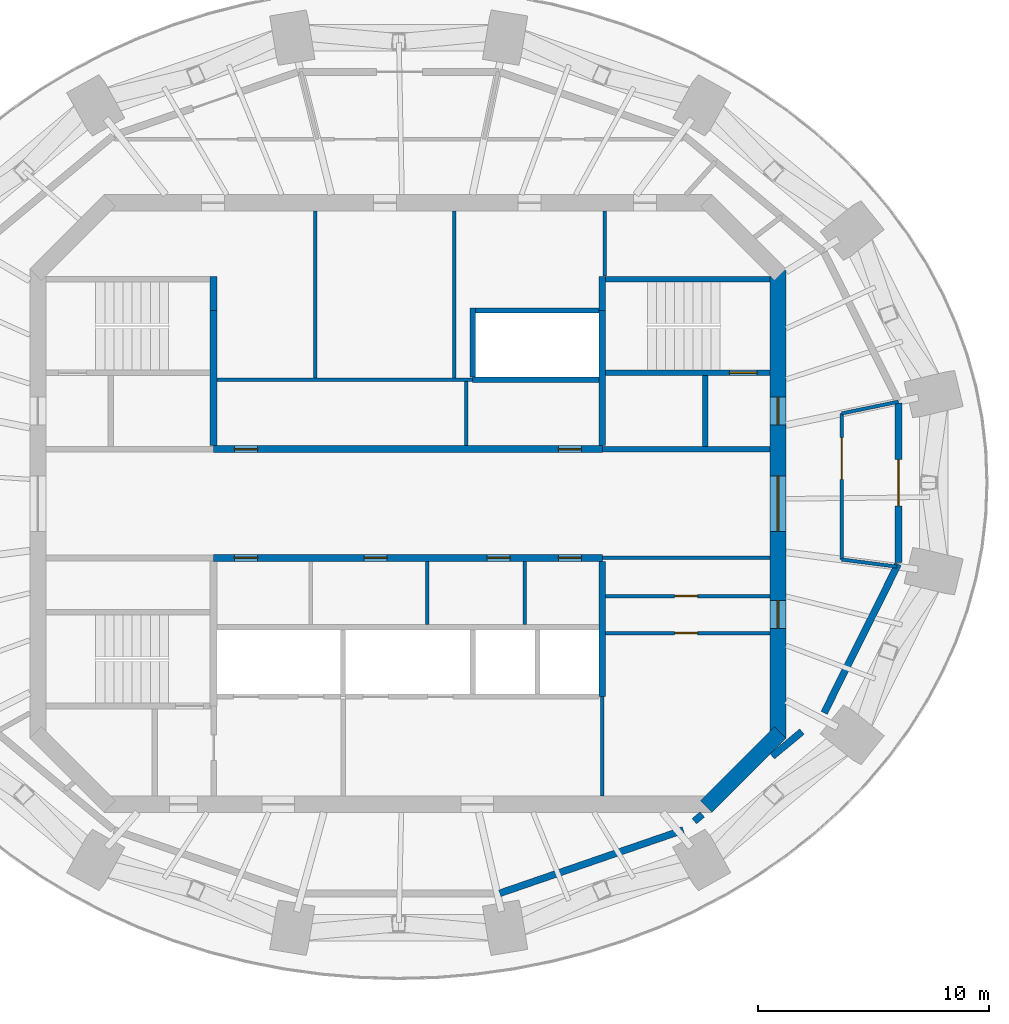
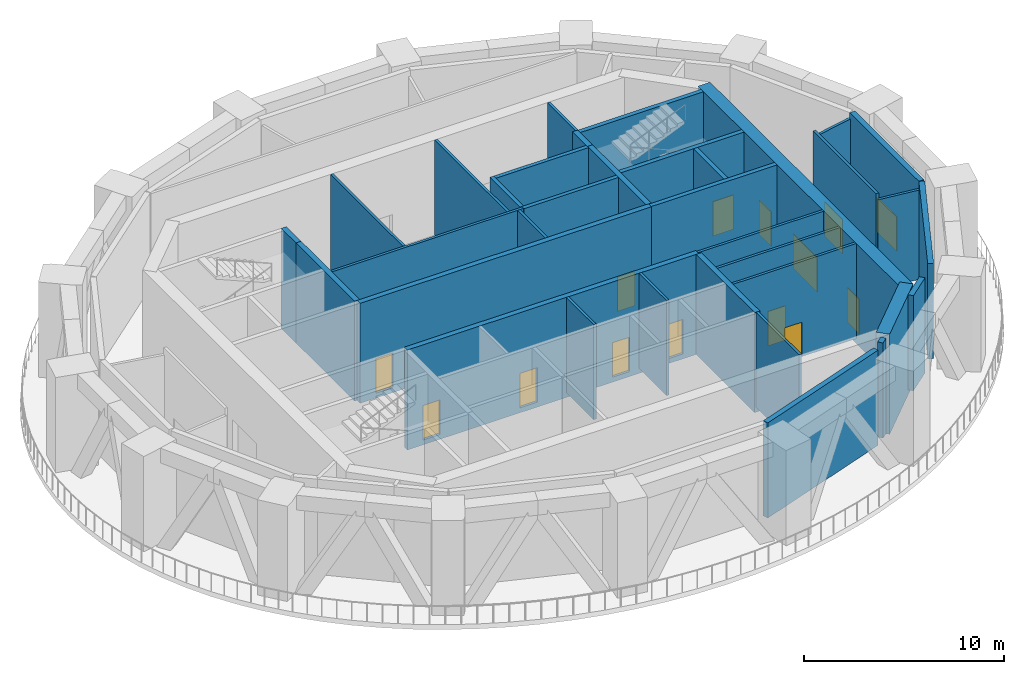
# One storey, part 5 of 9: 35 walls, 14 doors, 14 openings.
"""IFC4 building model written with IfcOpenShell, lengths in metres."""

from ifc_helpers import new_model, si_unit, direction, frame, frame_2d, origin, place, context, subcontext, project, spatial, rectangle, extrude, material, layer, layer_set, type_object, element, fill, save


model = new_model("IFC4")

# Units and contexts
model_context = context("Model", 3, precision=1e-05, world=origin(), true_north=direction((0.0, 1.0)))
body_context = subcontext(model_context, "Body", "Model", "MODEL_VIEW")
ifc_project = project(units=[si_unit("LENGTHUNIT", "METRE"), si_unit("AREAUNIT", "SQUARE_METRE"), si_unit("VOLUMEUNIT", "CUBIC_METRE"), si_unit("PLANEANGLEUNIT", "RADIAN"), si_unit("MASSUNIT", "GRAM", prefix="KILO")], contexts=[model_context])

# Site, building, storey
site_placement = place(None, origin())
site = spatial("IfcSite", under=ifc_project, at=site_placement, CompositionType="ELEMENT")
building_placement = place(site_placement, origin())
building = spatial("IfcBuilding", under=site, at=building_placement, Name="Marenthal Gate Tower", CompositionType="ELEMENT")
storey_placement = place(building_placement, frame((0.0, 0.0, 407.550048828125)))
storey = spatial("IfcBuildingStorey", under=building, at=storey_placement, Name="L92", CompositionType="ELEMENT", Elevation=407.550048828125)

# Wall
ifc_material_1 = material(Name="Concrete 60 MPa", Category="concrete")
ifc_layer_1 = layer(ifc_material_1, 0.699951171875)
ifc_layer_set_1 = layer_set([ifc_layer_1], Name="Core shear wall 700")
wall_type_1 = type_object("IfcWallType", Name="Core shear wall 700", PredefinedType="SHEAR", material=ifc_layer_set_1)
wall_1_placement = place(storey_placement, frame((12.8974609375, -13.1025390625, -0.300048828125), z_axis=(0.0, 0.0, 1.0), x_axis=(0.707106781187, 0.707106781187, 0.0)))
element("IfcWall", 1, at=wall_1_placement, inside=storey, type_object=wall_type_1, Name="Core wall 01", PredefinedType="SHEAR", context=body_context, shape_type="SweptSolid", body=[
    extrude(rectangle(XDim=4.53271484375, YDim=0.699951171875, at=frame_2d((2.266357421875, 0.0))), origin(), (0.0, 0.0, 1.0), 6.10009765625),
])

# Wall, openings, doors
wall_2_placement = place(storey_placement, frame((16.0, -10.14501953125, -0.300048828125), z_axis=(0.0, 0.0, 1.0), x_axis=(0.0, 1.0, 0.0)))
wall_2 = element("IfcWall", 2, at=wall_2_placement, inside=storey, type_object=wall_type_1, Name="Core wall 02", PredefinedType="SHEAR", context=body_context, shape_type="SweptSolid", body=[
    extrude(rectangle(XDim=20.2900390625, YDim=0.699951171875, at=frame_2d((10.14501953125, 0.0))), origin(), (0.0, 0.0, 1.0), 6.10009765625),
])
opening_1_placement = place(wall_2_placement, frame((8.945068359375, 0.0, 0.300048828125)))
opening_1 = element("IfcOpeningElement", 3, at=opening_1_placement, cuts=wall_2, Name="Opening D003.02", PredefinedType="OPENING", context=body_context, shape_type="SweptSolid", body=[
    extrude(rectangle(XDim=2.39990234375, YDim=2.10009765625, at=frame_2d((1.199951171875, 1.050048828125))), frame((0.0, 0.35986328125, 0.0), z_axis=(0.0, -1.0, 0.0), x_axis=(1.0, 0.0, 0.0)), (0.0, 0.0, 1.0), 0.719970703125),
])
opening_2_placement = place(wall_2_placement, frame((13.544921875, 0.0, 0.300048828125)))
opening_2 = element("IfcOpeningElement", 4, at=opening_2_placement, cuts=wall_2, Name="Opening D001.05", PredefinedType="OPENING", context=body_context, shape_type="SweptSolid", body=[
    extrude(rectangle(XDim=1.199951171875, YDim=2.10009765625, at=frame_2d((0.60009765625, 1.050048828125))), frame((0.0, 0.35986328125, 0.0), z_axis=(0.0, -1.0, 0.0), x_axis=(1.0, 0.0, 0.0)), (0.0, 0.0, 1.0), 0.719970703125),
])
opening_3_placement = place(wall_2_placement, frame((4.7451171875, 0.0, 0.300048828125)))
opening_3 = element("IfcOpeningElement", 5, at=opening_3_placement, cuts=wall_2, Name="Opening D006.01", PredefinedType="OPENING", context=body_context, shape_type="SweptSolid", body=[
    extrude(rectangle(XDim=1.199951171875, YDim=2.10009765625, at=frame_2d((0.60009765625, 1.050048828125))), frame((0.0, 0.35986328125, 0.0), z_axis=(0.0, -1.0, 0.0), x_axis=(1.0, 0.0, 0.0)), (0.0, 0.0, 1.0), 0.719970703125),
])
ifc_material_2 = material(Name="Steel fire door", Category="steel")
door_type_1 = type_object("IfcDoorType", Name="Double fire door FD 45 2400 x 2100", OperationType="DOUBLE_DOOR_SINGLE_SWING", PredefinedType="DOOR", material=ifc_material_2)
door_1_placement = place(opening_1_placement, origin())
door_1 = element("IfcDoor", 6, at=door_1_placement, inside=storey, type_object=door_type_1, Name="Door D003.02", OperationType="DOUBLE_DOOR_SINGLE_SWING", OverallHeight=2.10009765625, OverallWidth=2.39990234375, PredefinedType="DOOR", context=body_context, shape_type="SweptSolid", body=[
    extrude(rectangle(XDim=2.39990234375, YDim=2.10009765625, at=frame_2d((1.199951171875, 1.050048828125))), frame((0.0, 0.02490234375, 0.0), z_axis=(0.0, -1.0, 0.0), x_axis=(1.0, 0.0, 0.0)), (0.0, 0.0, 1.0), 0.050048828125),
])
fill(opening_1, door_1)
ifc_material_3 = material(Name="Steel fire door", Category="steel")
door_type_2 = type_object("IfcDoorType", Name="Fire door FD 45 1200 x 2100", OperationType="NOTDEFINED", PredefinedType="DOOR", material=ifc_material_3)
door_2_placement = place(opening_3_placement, origin())
door_2 = element("IfcDoor", 7, at=door_2_placement, inside=storey, type_object=door_type_2, Name="Door D006.01", OperationType="SINGLE_SWING_RIGHT", OverallHeight=2.10009765625, OverallWidth=1.199951171875, PredefinedType="DOOR", context=body_context, shape_type="SweptSolid", body=[
    extrude(rectangle(XDim=1.199951171875, YDim=2.10009765625, at=frame_2d((0.60009765625, 1.050048828125))), frame((0.0, 0.02490234375, 0.0), z_axis=(0.0, -1.0, 0.0), x_axis=(1.0, 0.0, 0.0)), (0.0, 0.0, 1.0), 0.050048828125),
])
fill(opening_3, door_2)
ifc_material_4 = material(Name="Steel fire door", Category="steel")
door_type_3 = type_object("IfcDoorType", Name="Fire door FD 90 1200 x 2100", OperationType="NOTDEFINED", PredefinedType="DOOR", material=ifc_material_4)
door_3_placement = place(opening_2_placement, origin())
door_3 = element("IfcDoor", 8, at=door_3_placement, inside=storey, type_object=door_type_3, Name="Door D001.05", OperationType="SINGLE_SWING_RIGHT", OverallHeight=2.10009765625, OverallWidth=1.199951171875, PredefinedType="DOOR", context=body_context, shape_type="SweptSolid", body=[
    extrude(rectangle(XDim=1.199951171875, YDim=2.10009765625, at=frame_2d((0.60009765625, 1.050048828125))), frame((0.0, 0.02490234375, 0.0), z_axis=(0.0, -1.0, 0.0), x_axis=(1.0, 0.0, 0.0)), (0.0, 0.0, 1.0), 0.050048828125),
])
fill(opening_2, door_3)

# Wall, opening, door
ifc_material_5 = material(Name="Concrete 40 MPa", Category="concrete")
ifc_layer_2 = layer(ifc_material_5, 0.300048828125)
ifc_layer_set_2 = layer_set([ifc_layer_2], Name="External wall 300")
wall_type_2 = type_object("IfcWallType", Name="External wall 300", PredefinedType="STANDARD", material=ifc_layer_set_2)
wall_3_placement = place(storey_placement, frame((21.209228515625, -2.55029296875, 0.0), z_axis=(0.0, 0.0, 1.0), x_axis=(0.0, 1.0, 0.0)))
wall_3 = element("IfcWall", 9, at=wall_3_placement, inside=storey, type_object=wall_type_2, Name="External wall 56", PredefinedType="STANDARD", context=body_context, shape_type="SweptSolid", body=[
    extrude(rectangle(XDim=6.90087890625, YDim=0.300048828125, at=frame_2d((3.450439453125, 0.0))), origin(), (0.0, 0.0, 1.0), 5.800048828125),
])
opening_4_placement = place(wall_3_placement, frame((2.450439453125, 0.0, 0.0)))
opening_4 = element("IfcOpeningElement", 10, at=opening_4_placement, cuts=wall_3, Name="Opening D018.04", PredefinedType="OPENING", context=body_context, shape_type="SweptSolid", body=[
    extrude(rectangle(XDim=2.0, YDim=2.10009765625, at=frame_2d((1.0, 1.050048828125))), frame((0.0, 0.16015625, 0.0), z_axis=(0.0, -1.0, 0.0), x_axis=(1.0, 0.0, 0.0)), (0.0, 0.0, 1.0), 0.320068359375),
])
ifc_material_6 = material(Name="Steel fire door", Category="steel")
door_type_4 = type_object("IfcDoorType", Name="Double fire door FD 45 2000 x 2100", OperationType="DOUBLE_DOOR_SINGLE_SWING", PredefinedType="DOOR", material=ifc_material_6)
door_4_placement = place(opening_4_placement, frame((2.0, 0.0, 0.0), z_axis=(0.0, 0.0, 1.0), x_axis=(-1.0, 0.0, 0.0)))
door_4 = element("IfcDoor", 11, at=door_4_placement, inside=storey, type_object=door_type_4, Name="Door D018.04", OperationType="DOUBLE_DOOR_SINGLE_SWING", OverallHeight=2.10009765625, OverallWidth=2.0, PredefinedType="DOOR", context=body_context, shape_type="SweptSolid", body=[
    extrude(rectangle(XDim=2.0, YDim=2.10009765625, at=frame_2d((1.0, 1.050048828125))), frame((0.0, 0.02490234375, 0.0), z_axis=(0.0, -1.0, 0.0), x_axis=(1.0, 0.0, 0.0)), (0.0, 0.0, 1.0), 0.050048828125),
])
fill(opening_4, door_4)

# Walls
wall_4_placement = place(storey_placement, frame((3.962890625, -16.853515625, 0.0), z_axis=(0.0, 0.0, 1.0), x_axis=(0.945415916935, 0.325866144309, 0.0)))
element("IfcWall", 12, at=wall_4_placement, inside=storey, type_object=wall_type_2, Name="External wall 60", PredefinedType="STANDARD", context=body_context, shape_type="SweptSolid", body=[
    extrude(rectangle(XDim=8.39794921875, YDim=0.300048828125, at=frame_2d((4.198974609375, 0.0))), origin(), (0.0, 0.0, 1.0), 5.800048828125),
])
wall_5_placement = place(storey_placement, frame((12.3798828125, -13.732421875, 0.0), z_axis=(0.0, 0.0, 1.0), x_axis=(0.768489258739, 0.639862687772, 0.0)))
element("IfcWall", 13, at=wall_5_placement, inside=storey, type_object=wall_type_2, Name="External wall 61", PredefinedType="STANDARD", context=body_context, shape_type="SweptSolid", body=[
    extrude(rectangle(XDim=0.447998046875, YDim=0.300048828125, at=frame_2d((0.22412109375, 0.0))), origin(), (0.0, 0.0, 1.0), 5.800048828125),
])
wall_6_placement = place(storey_placement, frame((15.749755859375, -10.928466796875, 0.0), z_axis=(0.0, 0.0, 1.0), x_axis=(0.768724548227, 0.639579994178, 0.0)))
element("IfcWall", 14, at=wall_6_placement, inside=storey, type_object=wall_type_2, Name="External wall 62", PredefinedType="STANDARD", context=body_context, shape_type="SweptSolid", body=[
    extrude(rectangle(XDim=1.669189453125, YDim=0.300048828125, at=frame_2d((0.83447265625, 0.0))), origin(), (0.0, 0.0, 1.0), 5.800048828125),
])
wall_7_placement = place(storey_placement, frame((17.993896484375, -9.044921875, 0.0), z_axis=(0.0, 0.0, 1.0), x_axis=(0.445635189334, 0.895214654721, 0.0)))
element("IfcWall", 15, at=wall_7_placement, inside=storey, type_object=wall_type_2, Name="External wall 64", PredefinedType="STANDARD", context=body_context, shape_type="SweptSolid", body=[
    extrude(rectangle(XDim=7.18017578125, YDim=0.300048828125, at=frame_2d((3.590087890625, 0.0))), origin(), (0.0, 0.0, 1.0), 5.800048828125),
])

# Wall, openings, doors
ifc_material_7 = material(Name="Concrete 50 MPa", Category="concrete")
ifc_layer_3 = layer(ifc_material_7, 0.300048828125)
ifc_layer_set_3 = layer_set([ifc_layer_3], Name="Hoistway shear wall 300")
wall_type_3 = type_object("IfcWallType", Name="Hoistway shear wall 300", PredefinedType="SHEAR", material=ifc_layer_set_3)
wall_8_placement = place(storey_placement, frame((-8.39990234375, -2.35009765625, -0.300048828125), z_axis=(0.0, 0.0, 1.0), x_axis=(1.0, 0.0, 0.0)))
wall_8 = element("IfcWall", 16, at=wall_8_placement, inside=storey, type_object=wall_type_3, Name="Hoistway wall 17", PredefinedType="SHEAR", context=body_context, shape_type="SweptSolid", body=[
    extrude(rectangle(XDim=16.7998046875, YDim=0.300048828125, at=frame_2d((8.39990234375, 0.0))), origin(), (0.0, 0.0, 1.0), 6.10009765625),
])
opening_5_placement = place(wall_8_placement, frame((0.89990234375, 0.0, 0.300048828125)))
opening_5 = element("IfcOpeningElement", 17, at=opening_5_placement, cuts=wall_8, Name="Opening D005.07", PredefinedType="OPENING", context=body_context, shape_type="SweptSolid", body=[
    extrude(rectangle(XDim=1.0, YDim=2.10009765625, at=frame_2d((0.5, 1.050048828125))), frame((0.0, 0.16015625, 0.0), z_axis=(0.0, -1.0, 0.0), x_axis=(1.0, 0.0, 0.0)), (0.0, 0.0, 1.0), 0.320068359375),
])
opening_6_placement = place(wall_8_placement, frame((6.5, 0.0, 0.300048828125)))
opening_6 = element("IfcOpeningElement", 18, at=opening_6_placement, cuts=wall_8, Name="Opening D005.08", PredefinedType="OPENING", context=body_context, shape_type="SweptSolid", body=[
    extrude(rectangle(XDim=1.0, YDim=2.10009765625, at=frame_2d((0.5, 1.050048828125))), frame((0.0, 0.16015625, 0.0), z_axis=(0.0, -1.0, 0.0), x_axis=(1.0, 0.0, 0.0)), (0.0, 0.0, 1.0), 0.320068359375),
])
opening_7_placement = place(wall_8_placement, frame((11.820068359375, 0.0, 0.300048828125)))
opening_7 = element("IfcOpeningElement", 19, at=opening_7_placement, cuts=wall_8, Name="Opening D005.09", PredefinedType="OPENING", context=body_context, shape_type="SweptSolid", body=[
    extrude(rectangle(XDim=1.0, YDim=2.10009765625, at=frame_2d((0.5, 1.050048828125))), frame((0.0, 0.16015625, 0.0), z_axis=(0.0, -1.0, 0.0), x_axis=(1.0, 0.0, 0.0)), (0.0, 0.0, 1.0), 0.320068359375),
])
opening_8_placement = place(wall_8_placement, frame((14.89990234375, 0.0, 0.300048828125)))
opening_8 = element("IfcOpeningElement", 20, at=opening_8_placement, cuts=wall_8, Name="Opening D005.10", PredefinedType="OPENING", context=body_context, shape_type="SweptSolid", body=[
    extrude(rectangle(XDim=1.0, YDim=2.10009765625, at=frame_2d((0.5, 1.050048828125))), frame((0.0, 0.16015625, 0.0), z_axis=(0.0, -1.0, 0.0), x_axis=(1.0, 0.0, 0.0)), (0.0, 0.0, 1.0), 0.320068359375),
])
ifc_material_8 = material(Name="Steel fire door", Category="steel")
door_type_5 = type_object("IfcDoorType", Name="Fire door FD 45 1000 x 2100", OperationType="NOTDEFINED", PredefinedType="DOOR", material=ifc_material_8)
door_5_placement = place(opening_5_placement, frame((1.0, 0.0, 0.0), z_axis=(0.0, 0.0, 1.0), x_axis=(-1.0, 0.0, 0.0)))
door_5 = element("IfcDoor", 21, at=door_5_placement, inside=storey, type_object=door_type_5, Name="Door D005.07", OperationType="SINGLE_SWING_LEFT", OverallHeight=2.10009765625, OverallWidth=1.0, PredefinedType="DOOR", context=body_context, shape_type="SweptSolid", body=[
    extrude(rectangle(XDim=1.0, YDim=2.10009765625, at=frame_2d((0.5, 1.050048828125))), frame((0.0, 0.02490234375, 0.0), z_axis=(0.0, -1.0, 0.0), x_axis=(1.0, 0.0, 0.0)), (0.0, 0.0, 1.0), 0.050048828125),
])
fill(opening_5, door_5)
door_6_placement = place(opening_6_placement, frame((1.0, 0.0, 0.0), z_axis=(0.0, 0.0, 1.0), x_axis=(-1.0, 0.0, 0.0)))
door_6 = element("IfcDoor", 22, at=door_6_placement, inside=storey, type_object=door_type_5, Name="Door D005.08", OperationType="SINGLE_SWING_LEFT", OverallHeight=2.10009765625, OverallWidth=1.0, PredefinedType="DOOR", context=body_context, shape_type="SweptSolid", body=[
    extrude(rectangle(XDim=1.0, YDim=2.10009765625, at=frame_2d((0.5, 1.050048828125))), frame((0.0, 0.02490234375, 0.0), z_axis=(0.0, -1.0, 0.0), x_axis=(1.0, 0.0, 0.0)), (0.0, 0.0, 1.0), 0.050048828125),
])
fill(opening_6, door_6)
door_7_placement = place(opening_7_placement, frame((1.0, 0.0, 0.0), z_axis=(0.0, 0.0, 1.0), x_axis=(-1.0, 0.0, 0.0)))
door_7 = element("IfcDoor", 23, at=door_7_placement, inside=storey, type_object=door_type_5, Name="Door D005.09", OperationType="SINGLE_SWING_LEFT", OverallHeight=2.10009765625, OverallWidth=1.0, PredefinedType="DOOR", context=body_context, shape_type="SweptSolid", body=[
    extrude(rectangle(XDim=1.0, YDim=2.10009765625, at=frame_2d((0.5, 1.050048828125))), frame((0.0, 0.02490234375, 0.0), z_axis=(0.0, -1.0, 0.0), x_axis=(1.0, 0.0, 0.0)), (0.0, 0.0, 1.0), 0.050048828125),
])
fill(opening_7, door_7)
door_8_placement = place(opening_8_placement, frame((1.0, 0.0, 0.0), z_axis=(0.0, 0.0, 1.0), x_axis=(-1.0, 0.0, 0.0)))
door_8 = element("IfcDoor", 24, at=door_8_placement, inside=storey, type_object=door_type_5, Name="Door D005.10", OperationType="SINGLE_SWING_LEFT", OverallHeight=2.10009765625, OverallWidth=1.0, PredefinedType="DOOR", context=body_context, shape_type="SweptSolid", body=[
    extrude(rectangle(XDim=1.0, YDim=2.10009765625, at=frame_2d((0.5, 1.050048828125))), frame((0.0, 0.02490234375, 0.0), z_axis=(0.0, -1.0, 0.0), x_axis=(1.0, 0.0, 0.0)), (0.0, 0.0, 1.0), 0.050048828125),
])
fill(opening_8, door_8)

wall_9_placement = place(storey_placement, frame((-8.39990234375, 2.35009765625, -0.300048828125), z_axis=(0.0, 0.0, 1.0), x_axis=(1.0, 0.0, 0.0)))
wall_9 = element("IfcWall", 25, at=wall_9_placement, inside=storey, type_object=wall_type_3, Name="Hoistway wall 20", PredefinedType="SHEAR", context=body_context, shape_type="SweptSolid", body=[
    extrude(rectangle(XDim=16.7998046875, YDim=0.300048828125, at=frame_2d((8.39990234375, 0.0))), origin(), (0.0, 0.0, 1.0), 6.10009765625),
])
opening_9_placement = place(wall_9_placement, frame((0.89990234375, 0.0, 0.300048828125)))
opening_9 = element("IfcOpeningElement", 26, at=opening_9_placement, cuts=wall_9, Name="Opening D005.01", PredefinedType="OPENING", context=body_context, shape_type="SweptSolid", body=[
    extrude(rectangle(XDim=1.0, YDim=2.10009765625, at=frame_2d((0.5, 1.050048828125))), frame((0.0, 0.16015625, 0.0), z_axis=(0.0, -1.0, 0.0), x_axis=(1.0, 0.0, 0.0)), (0.0, 0.0, 1.0), 0.320068359375),
])
opening_10_placement = place(wall_9_placement, frame((14.89990234375, 0.0, 0.300048828125)))
opening_10 = element("IfcOpeningElement", 27, at=opening_10_placement, cuts=wall_9, Name="Opening D005.02", PredefinedType="OPENING", context=body_context, shape_type="SweptSolid", body=[
    extrude(rectangle(XDim=1.0, YDim=2.10009765625, at=frame_2d((0.5, 1.050048828125))), frame((0.0, 0.16015625, 0.0), z_axis=(0.0, -1.0, 0.0), x_axis=(1.0, 0.0, 0.0)), (0.0, 0.0, 1.0), 0.320068359375),
])
door_9_placement = place(opening_9_placement, origin())
door_9 = element("IfcDoor", 28, at=door_9_placement, inside=storey, type_object=door_type_5, Name="Door D005.01", OperationType="SINGLE_SWING_RIGHT", OverallHeight=2.10009765625, OverallWidth=1.0, PredefinedType="DOOR", context=body_context, shape_type="SweptSolid", body=[
    extrude(rectangle(XDim=1.0, YDim=2.10009765625, at=frame_2d((0.5, 1.050048828125))), frame((0.0, 0.02490234375, 0.0), z_axis=(0.0, -1.0, 0.0), x_axis=(1.0, 0.0, 0.0)), (0.0, 0.0, 1.0), 0.050048828125),
])
fill(opening_9, door_9)
door_10_placement = place(opening_10_placement, origin())
door_10 = element("IfcDoor", 29, at=door_10_placement, inside=storey, type_object=door_type_5, Name="Door D005.02", OperationType="SINGLE_SWING_RIGHT", OverallHeight=2.10009765625, OverallWidth=1.0, PredefinedType="DOOR", context=body_context, shape_type="SweptSolid", body=[
    extrude(rectangle(XDim=1.0, YDim=2.10009765625, at=frame_2d((0.5, 1.050048828125))), frame((0.0, 0.02490234375, 0.0), z_axis=(0.0, -1.0, 0.0), x_axis=(1.0, 0.0, 0.0)), (0.0, 0.0, 1.0), 0.050048828125),
])
fill(opening_10, door_10)

# Walls
for number, where, z_axis, x_axis, name in (
    (30, (-8.39990234375, 2.5, -0.300048828125), (0.0, 0.0, 1.0), (0.0, 1.0, 0.0), "Hoistway wall 33"),
    (31, (8.39990234375, -8.35009765625, -0.300048828125), (0.0, 0.0, 1.0), (0.0, 1.0, 0.0), "Hoistway wall 47"),
    (32, (8.39990234375, 2.5, -0.300048828125), (0.0, 0.0, 1.0), (0.0, 1.0, 0.0), "Hoistway wall 48"),
):
    element("IfcWall", number, at=place(storey_placement, frame(where, z_axis=z_axis, x_axis=x_axis)), inside=storey, type_object=wall_type_3, Name=name, PredefinedType="SHEAR", context=body_context, shape_type="SweptSolid", body=[
        extrude(rectangle(XDim=5.85009765625, YDim=0.300048828125, at=frame_2d((2.925048828125, 0.0))), origin(), (0.0, 0.0, 1.0), 6.10009765625),
    ])
ifc_material_9 = material(Name="Concrete 40 MPa", Category="concrete")
ifc_layer_4 = layer(ifc_material_9, 0.219970703125)
ifc_layer_set_4 = layer_set([ifc_layer_4], Name="Hoistway wall 220")
wall_type_4 = type_object("IfcWallType", Name="Hoistway wall 220", PredefinedType="STANDARD", material=ifc_layer_set_4)
wall_10_placement = place(storey_placement, frame((2.800048828125, 5.35009765625, 0.0), z_axis=(0.0, 0.0, 1.0), x_axis=(1.0, 0.0, 0.0)))
element("IfcWall", 33, at=wall_10_placement, inside=storey, type_object=wall_type_4, Name="Hoistway wall 23", PredefinedType="STANDARD", context=body_context, shape_type="SweptSolid", body=[
    extrude(rectangle(XDim=5.449951171875, YDim=0.219970703125, at=frame_2d((2.72509765625, 0.0))), origin(), (0.0, 0.0, 1.0), 5.800048828125),
])
wall_11_placement = place(storey_placement, frame((2.909912109375, 8.35009765625, 0.0), z_axis=(0.0, 0.0, 1.0), x_axis=(1.0, 0.0, 0.0)))
element("IfcWall", 34, at=wall_11_placement, inside=storey, type_object=wall_type_4, Name="Hoistway wall 26", PredefinedType="STANDARD", context=body_context, shape_type="SweptSolid", body=[
    extrude(rectangle(XDim=5.340087890625, YDim=0.219970703125, at=frame_2d((2.669921875, 0.0))), origin(), (0.0, 0.0, 1.0), 5.800048828125),
])
wall_12_placement = place(storey_placement, frame((2.800048828125, 5.4599609375, 0.0), z_axis=(0.0, 0.0, 1.0), x_axis=(0.0, 1.0, 0.0)))
element("IfcWall", 35, at=wall_12_placement, inside=storey, type_object=wall_type_4, Name="Hoistway wall 43", PredefinedType="STANDARD", context=body_context, shape_type="SweptSolid", body=[
    extrude(rectangle(XDim=3.0, YDim=0.219970703125, at=frame_2d((1.5, 0.0))), origin(), (0.0, 0.0, 1.0), 5.800048828125),
])

# Wall, opening, door
ifc_material_10 = material(Name="Gypsum board on steel studs", Category="steel")
ifc_layer_5 = layer(ifc_material_10, 0.14990234375)
ifc_layer_set_5 = layer_set([ifc_layer_5], Name="Partition 150")
wall_type_5 = type_object("IfcWallType", Name="Partition 150", PredefinedType="PARTITIONING", material=ifc_layer_set_5)
wall_13_placement = place(storey_placement, frame((8.550048828125, -5.60009765625, 0.0), z_axis=(0.0, 0.0, 1.0), x_axis=(1.0, 0.0, 0.0)))
wall_13 = element("IfcWall", 36, at=wall_13_placement, inside=storey, type_object=wall_type_5, Name="Partition wall 12", PredefinedType="PARTITIONING", context=body_context, shape_type="SweptSolid", body=[
    extrude(rectangle(XDim=7.099853515625, YDim=0.14990234375, at=frame_2d((3.5498046875, 0.0))), origin(), (0.0, 0.0, 1.0), 5.800048828125),
])
opening_11_placement = place(wall_13_placement, frame((2.97509765625, 0.0, 0.0)))
opening_11 = element("IfcOpeningElement", 37, at=opening_11_placement, cuts=wall_13, Name="Opening D005.12", PredefinedType="OPENING", context=body_context, shape_type="SweptSolid", body=[
    extrude(rectangle(XDim=1.0, YDim=2.10009765625, at=frame_2d((0.5, 1.050048828125))), frame((0.0, 0.0849609375, 0.0), z_axis=(0.0, -1.0, 0.0), x_axis=(1.0, 0.0, 0.0)), (0.0, 0.0, 1.0), 0.169921875),
])
door_11_placement = place(opening_11_placement, frame((1.0, 0.0, 0.0), z_axis=(0.0, 0.0, 1.0), x_axis=(-1.0, 0.0, 0.0)))
door_11 = element("IfcDoor", 38, at=door_11_placement, inside=storey, type_object=door_type_5, Name="Door D005.12", OperationType="SINGLE_SWING_LEFT", OverallHeight=2.10009765625, OverallWidth=1.0, PredefinedType="DOOR", context=body_context, shape_type="SweptSolid", body=[
    extrude(rectangle(XDim=1.0, YDim=2.10009765625, at=frame_2d((0.5, 1.050048828125))), frame((0.0, 0.02490234375, 0.0), z_axis=(0.0, -1.0, 0.0), x_axis=(1.0, 0.0, 0.0)), (0.0, 0.0, 1.0), 0.050048828125),
])
fill(opening_11, door_11)

wall_14_placement = place(storey_placement, frame((8.550048828125, -4.0, 0.0), z_axis=(0.0, 0.0, 1.0), x_axis=(1.0, 0.0, 0.0)))
wall_14 = element("IfcWall", 39, at=wall_14_placement, inside=storey, type_object=wall_type_5, Name="Partition wall 15", PredefinedType="PARTITIONING", context=body_context, shape_type="SweptSolid", body=[
    extrude(rectangle(XDim=7.099853515625, YDim=0.14990234375, at=frame_2d((3.5498046875, 0.0))), origin(), (0.0, 0.0, 1.0), 5.800048828125),
])
opening_12_placement = place(wall_14_placement, frame((2.97509765625, 0.0, 0.0)))
opening_12 = element("IfcOpeningElement", 40, at=opening_12_placement, cuts=wall_14, Name="Opening D005.11", PredefinedType="OPENING", context=body_context, shape_type="SweptSolid", body=[
    extrude(rectangle(XDim=1.0, YDim=2.10009765625, at=frame_2d((0.5, 1.050048828125))), frame((0.0, 0.0849609375, 0.0), z_axis=(0.0, -1.0, 0.0), x_axis=(1.0, 0.0, 0.0)), (0.0, 0.0, 1.0), 0.169921875),
])
door_12_placement = place(opening_12_placement, origin())
door_12 = element("IfcDoor", 41, at=door_12_placement, inside=storey, type_object=door_type_5, Name="Door D005.11", OperationType="SINGLE_SWING_RIGHT", OverallHeight=2.10009765625, OverallWidth=1.0, PredefinedType="DOOR", context=body_context, shape_type="SweptSolid", body=[
    extrude(rectangle(XDim=1.0, YDim=2.10009765625, at=frame_2d((0.5, 1.050048828125))), frame((0.0, 0.02490234375, 0.0), z_axis=(0.0, -1.0, 0.0), x_axis=(1.0, 0.0, 0.0)), (0.0, 0.0, 1.0), 0.050048828125),
])
fill(opening_12, door_12)

# Walls
wall_15_placement = place(storey_placement, frame((8.39990234375, -2.35009765625, 0.0), z_axis=(0.0, 0.0, 1.0), x_axis=(1.0, 0.0, 0.0)))
element("IfcWall", 42, at=wall_15_placement, inside=storey, type_object=wall_type_5, Name="Partition wall 18", PredefinedType="PARTITIONING", context=body_context, shape_type="SweptSolid", body=[
    extrude(rectangle(XDim=7.25, YDim=0.14990234375, at=frame_2d((3.625, 0.0))), origin(), (0.0, 0.0, 1.0), 5.800048828125),
])
wall_16_placement = place(storey_placement, frame((-8.25, 5.35009765625, 0.0), z_axis=(0.0, 0.0, 1.0), x_axis=(1.0, 0.0, 0.0)))
element("IfcWall", 43, at=wall_16_placement, inside=storey, type_object=wall_type_5, Name="Partition wall 22", PredefinedType="PARTITIONING", context=body_context, shape_type="SweptSolid", body=[
    extrude(rectangle(XDim=11.050048828125, YDim=0.14990234375, at=frame_2d((5.52490234375, 0.0))), origin(), (0.0, 0.0, 1.0), 5.800048828125),
])
wall_17_placement = place(storey_placement, frame((-4.0, 5.425048828125, 0.0), z_axis=(0.0, 0.0, 1.0), x_axis=(0.0, 1.0, 0.0)))
element("IfcWall", 44, at=wall_17_placement, inside=storey, type_object=wall_type_5, Name="Partition wall 36", PredefinedType="PARTITIONING", context=body_context, shape_type="SweptSolid", body=[
    extrude(rectangle(XDim=7.224853515625, YDim=0.14990234375, at=frame_2d((3.6123046875, 0.0))), origin(), (0.0, 0.0, 1.0), 5.800048828125),
])
wall_18_placement = place(storey_placement, frame((0.840087890625, -5.239990234375, 0.0), z_axis=(0.0, 0.0, 1.0), x_axis=(0.0, 1.0, 0.0)))
element("IfcWall", 45, at=wall_18_placement, inside=storey, type_object=wall_type_5, Name="Partition wall 39", PredefinedType="PARTITIONING", context=body_context, shape_type="SweptSolid", body=[
    extrude(rectangle(XDim=2.739990234375, YDim=0.14990234375, at=frame_2d((1.3701171875, 0.0))), origin(), (0.0, 0.0, 1.0), 5.800048828125),
])
wall_19_placement = place(storey_placement, frame((2.0, 5.425048828125, 0.0), z_axis=(0.0, 0.0, 1.0), x_axis=(0.0, 1.0, 0.0)))
element("IfcWall", 46, at=wall_19_placement, inside=storey, type_object=wall_type_5, Name="Partition wall 40", PredefinedType="PARTITIONING", context=body_context, shape_type="SweptSolid", body=[
    extrude(rectangle(XDim=7.224853515625, YDim=0.14990234375, at=frame_2d((3.6123046875, 0.0))), origin(), (0.0, 0.0, 1.0), 5.800048828125),
])
wall_20_placement = place(storey_placement, frame((2.52001953125, 2.5, 0.0), z_axis=(0.0, 0.0, 1.0), x_axis=(0.0, 1.0, 0.0)))
element("IfcWall", 47, at=wall_20_placement, inside=storey, type_object=wall_type_5, Name="Partition wall 41", PredefinedType="PARTITIONING", context=body_context, shape_type="SweptSolid", body=[
    extrude(rectangle(XDim=2.77490234375, YDim=0.14990234375, at=frame_2d((1.387451171875, 0.0))), origin(), (0.0, 0.0, 1.0), 5.800048828125),
])
wall_21_placement = place(storey_placement, frame((5.0400390625, -5.239990234375, 0.0), z_axis=(0.0, 0.0, 1.0), x_axis=(0.0, 1.0, 0.0)))
element("IfcWall", 48, at=wall_21_placement, inside=storey, type_object=wall_type_5, Name="Partition wall 44", PredefinedType="PARTITIONING", context=body_context, shape_type="SweptSolid", body=[
    extrude(rectangle(XDim=2.739990234375, YDim=0.14990234375, at=frame_2d((1.3701171875, 0.0))), origin(), (0.0, 0.0, 1.0), 5.800048828125),
])
wall_22_placement = place(storey_placement, frame((8.39990234375, -12.64990234375, 0.0), z_axis=(0.0, 0.0, 1.0), x_axis=(0.0, 1.0, 0.0)))
element("IfcWall", 49, at=wall_22_placement, inside=storey, type_object=wall_type_5, Name="Partition wall 46", PredefinedType="PARTITIONING", context=body_context, shape_type="SweptSolid", body=[
    extrude(rectangle(XDim=4.2998046875, YDim=0.14990234375, at=frame_2d((2.14990234375, 0.0))), origin(), (0.0, 0.0, 1.0), 5.800048828125),
])
wall_23_placement = place(storey_placement, frame((8.5, 9.824951171875, 0.0), z_axis=(0.0, 0.0, 1.0), x_axis=(0.0, 1.0, 0.0)))
element("IfcWall", 50, at=wall_23_placement, inside=storey, type_object=wall_type_5, Name="Partition wall 50", PredefinedType="PARTITIONING", context=body_context, shape_type="SweptSolid", body=[
    extrude(rectangle(XDim=2.824951171875, YDim=0.14990234375, at=frame_2d((1.41259765625, 0.0))), origin(), (0.0, 0.0, 1.0), 5.800048828125),
])
wall_24_placement = place(storey_placement, frame((18.75, 3.892333984375, 0.0), z_axis=(0.0, 0.0, 1.0), x_axis=(0.979114064269, 0.203311704412, 0.0)))
element("IfcWall", 51, at=wall_24_placement, inside=storey, type_object=wall_type_5, Name="Partition wall 75", PredefinedType="PARTITIONING", context=body_context, shape_type="SweptSolid", body=[
    extrude(rectangle(XDim=2.503662109375, YDim=0.14990234375, at=frame_2d((1.251953125, 0.0))), origin(), (0.0, 0.0, 1.0), 5.447021484375),
])

# Wall, opening, door
wall_25_placement = place(storey_placement, frame((18.75, -2.42138671875, 0.0), z_axis=(0.0, 0.0, 1.0), x_axis=(0.0, 1.0, 0.0)))
wall_25 = element("IfcWall", 52, at=wall_25_placement, inside=storey, type_object=wall_type_5, Name="Partition wall 77", PredefinedType="PARTITIONING", context=body_context, shape_type="SweptSolid", body=[
    extrude(rectangle(XDim=6.313720703125, YDim=0.14990234375, at=frame_2d((3.15673828125, 0.0))), origin(), (0.0, 0.0, 1.0), 5.800048828125),
])
opening_13_placement = place(wall_25_placement, frame((3.465087890625, 0.0, 0.0)))
opening_13 = element("IfcOpeningElement", 53, at=opening_13_placement, cuts=wall_25, Name="Opening D007.04", PredefinedType="OPENING", context=body_context, shape_type="SweptSolid", body=[
    extrude(rectangle(XDim=1.800048828125, YDim=2.10009765625, at=frame_2d((0.89990234375, 1.050048828125))), frame((0.0, 0.0849609375, 0.0), z_axis=(0.0, -1.0, 0.0), x_axis=(1.0, 0.0, 0.0)), (0.0, 0.0, 1.0), 0.169921875),
])
ifc_material_11 = material(Name="Steel fire door", Category="steel")
door_type_6 = type_object("IfcDoorType", Name="Double fire door FD 45 1800 x 2100", OperationType="DOUBLE_DOOR_SINGLE_SWING", PredefinedType="DOOR", material=ifc_material_11)
door_13_placement = place(opening_13_placement, origin())
door_13 = element("IfcDoor", 54, at=door_13_placement, inside=storey, type_object=door_type_6, Name="Door D007.04", OperationType="DOUBLE_DOOR_SINGLE_SWING", OverallHeight=2.10009765625, OverallWidth=1.800048828125, PredefinedType="DOOR", context=body_context, shape_type="SweptSolid", body=[
    extrude(rectangle(XDim=1.800048828125, YDim=2.10009765625, at=frame_2d((0.89990234375, 1.050048828125))), frame((0.0, 0.02490234375, 0.0), z_axis=(0.0, -1.0, 0.0), x_axis=(1.0, 0.0, 0.0)), (0.0, 0.0, 1.0), 0.050048828125),
])
fill(opening_13, door_13)

# Walls
wall_26_placement = place(storey_placement, frame((21.1376953125, -2.729736328125, 0.0), z_axis=(0.0, 0.0, 1.0), x_axis=(-0.991764160055, 0.128077518829, 0.0)))
element("IfcWall", 55, at=wall_26_placement, inside=storey, type_object=wall_type_5, Name="Partition wall 81", PredefinedType="PARTITIONING", context=body_context, shape_type="SweptSolid", body=[
    extrude(rectangle(XDim=2.407470703125, YDim=0.14990234375, at=frame_2d((1.20361328125, 0.0))), origin(), (0.0, 0.0, 1.0), 5.447021484375),
])
ifc_material_12 = material(Name="Concrete 40 MPa", Category="concrete")
ifc_layer_6 = layer(ifc_material_12, 0.25)
ifc_layer_set_6 = layer_set([ifc_layer_6], Name="Stair enclosure wall 250")
wall_type_6 = type_object("IfcWallType", Name="Stair enclosure wall 250", PredefinedType="STANDARD", material=ifc_layer_set_6)
wall_27_placement = place(storey_placement, frame((8.39990234375, 2.35009765625, 0.0), z_axis=(0.0, 0.0, 1.0), x_axis=(1.0, 0.0, 0.0)))
element("IfcWall", 56, at=wall_27_placement, inside=storey, type_object=wall_type_6, Name="Stair wall 21", PredefinedType="STANDARD", context=body_context, shape_type="SweptSolid", body=[
    extrude(rectangle(XDim=7.25, YDim=0.25, at=frame_2d((3.625, 0.0))), origin(), (0.0, 0.0, 1.0), 5.800048828125),
])
wall_28_placement = place(storey_placement, frame((12.85009765625, 2.47509765625, 0.0), z_axis=(0.0, 0.0, 1.0), x_axis=(0.0, 1.0, 0.0)))
element("IfcWall", 57, at=wall_28_placement, inside=storey, type_object=wall_type_6, Name="Stair wall 51", PredefinedType="STANDARD", context=body_context, shape_type="SweptSolid", body=[
    extrude(rectangle(XDim=3.0498046875, YDim=0.25, at=frame_2d((1.52490234375, 0.0))), origin(), (0.0, 0.0, 1.0), 5.800048828125),
])

# Wall, opening, door
ifc_material_13 = material(Name="Concrete 50 MPa", Category="concrete")
ifc_layer_7 = layer(ifc_material_13, 0.25)
ifc_layer_set_7 = layer_set([ifc_layer_7], Name="Stair shear wall 250")
wall_type_7 = type_object("IfcWallType", Name="Stair shear wall 250", PredefinedType="SHEAR", material=ifc_layer_set_7)
wall_29_placement = place(storey_placement, frame((8.550048828125, 5.64990234375, -0.300048828125), z_axis=(0.0, 0.0, 1.0), x_axis=(1.0, 0.0, 0.0)))
wall_29 = element("IfcWall", 58, at=wall_29_placement, inside=storey, type_object=wall_type_7, Name="Stair wall 25", PredefinedType="SHEAR", context=body_context, shape_type="SweptSolid", body=[
    extrude(rectangle(XDim=7.099853515625, YDim=0.25, at=frame_2d((3.5498046875, 0.0))), origin(), (0.0, 0.0, 1.0), 6.10009765625),
])
opening_14_placement = place(wall_29_placement, frame((5.35009765625, 0.0, 0.300048828125)))
opening_14 = element("IfcOpeningElement", 59, at=opening_14_placement, cuts=wall_29, Name="Opening D001.02", PredefinedType="OPENING", context=body_context, shape_type="SweptSolid", body=[
    extrude(rectangle(XDim=1.199951171875, YDim=2.10009765625, at=frame_2d((0.60009765625, 1.050048828125))), frame((0.0, 0.135009765625, 0.0), z_axis=(0.0, -1.0, 0.0), x_axis=(1.0, 0.0, 0.0)), (0.0, 0.0, 1.0), 0.27001953125),
])
door_14_placement = place(opening_14_placement, origin())
door_14 = element("IfcDoor", 60, at=door_14_placement, inside=storey, type_object=door_type_3, Name="Door D001.02", OperationType="SINGLE_SWING_RIGHT", OverallHeight=2.10009765625, OverallWidth=1.199951171875, PredefinedType="DOOR", context=body_context, shape_type="SweptSolid", body=[
    extrude(rectangle(XDim=1.199951171875, YDim=2.10009765625, at=frame_2d((0.60009765625, 1.050048828125))), frame((0.0, 0.02490234375, 0.0), z_axis=(0.0, -1.0, 0.0), x_axis=(1.0, 0.0, 0.0)), (0.0, 0.0, 1.0), 0.050048828125),
])
fill(opening_14, door_14)

# Walls
wall_30_placement = place(storey_placement, frame((8.550048828125, 9.699951171875, -0.300048828125), z_axis=(0.0, 0.0, 1.0), x_axis=(1.0, 0.0, 0.0)))
element("IfcWall", 61, at=wall_30_placement, inside=storey, type_object=wall_type_7, Name="Stair wall 28", PredefinedType="SHEAR", context=body_context, shape_type="SweptSolid", body=[
    extrude(rectangle(XDim=7.099853515625, YDim=0.25, at=frame_2d((3.5498046875, 0.0))), origin(), (0.0, 0.0, 1.0), 6.10009765625),
])
ifc_material_14 = material(Name="Concrete 50 MPa", Category="concrete")
ifc_layer_8 = layer(ifc_material_14, 0.300048828125)
ifc_layer_set_8 = layer_set([ifc_layer_8], Name="Stair shear wall 300")
wall_type_8 = type_object("IfcWallType", Name="Stair shear wall 300", PredefinedType="SHEAR", material=ifc_layer_set_8)
for number, where, z_axis, x_axis, name in (
    (62, (-8.39990234375, 8.35009765625, -0.300048828125), (0.0, 0.0, 1.0), (0.0, 1.0, 0.0), "Stair wall 34"),
    (63, (8.39990234375, 8.35009765625, -0.300048828125), (0.0, 0.0, 1.0), (0.0, 1.0, 0.0), "Stair wall 49"),
):
    element("IfcWall", number, at=place(storey_placement, frame(where, z_axis=z_axis, x_axis=x_axis)), inside=storey, type_object=wall_type_8, Name=name, PredefinedType="SHEAR", context=body_context, shape_type="SweptSolid", body=[
        extrude(rectangle(XDim=1.474853515625, YDim=0.300048828125, at=frame_2d((0.7373046875, 0.0))), origin(), (0.0, 0.0, 1.0), 6.10009765625),
    ])

save(model, "model.ifc")
